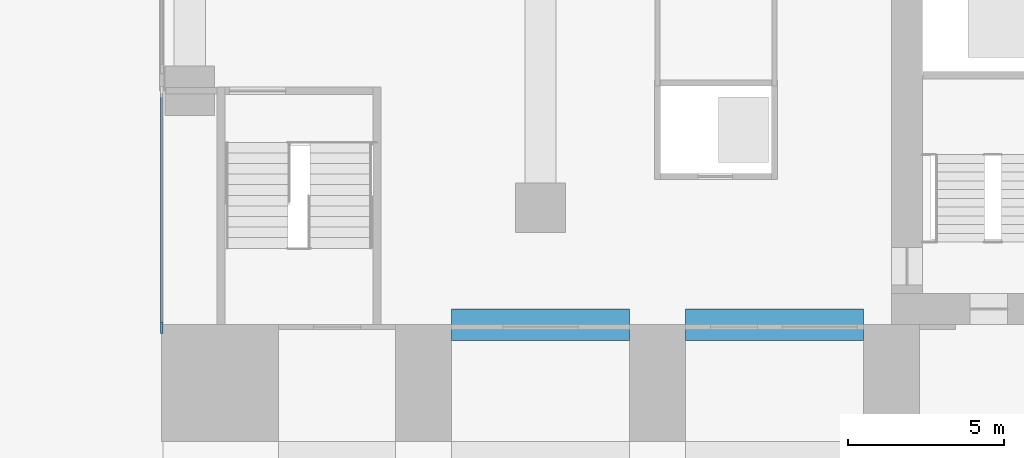
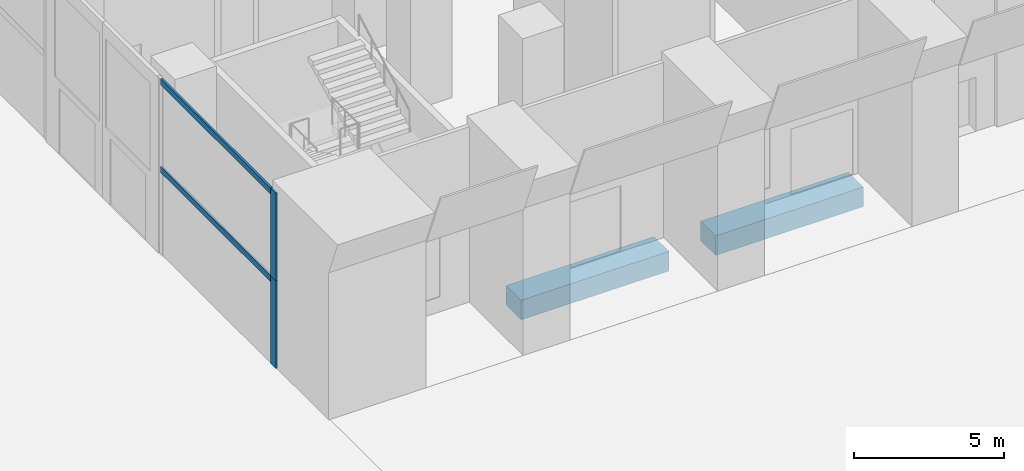
# One storey, part 2 of 21: 4 members, 2 beams, 2 elements without a shape of their own.
"""IFC4 building model written with IfcOpenShell, lengths in metres."""

from ifc_helpers import new_model, si_unit, direction, frame, origin, origin_2d, place, context, subcontext, project, spatial, rectangle, extrude, material, material_profile, profile_set, type_object, element, aggregate, save


model = new_model("IFC4")

# Units and contexts
model_context = context("Model", 3, precision=1e-05, world=origin(), true_north=direction((0.0, 1.0)))
body_context = subcontext(model_context, "Body", "Model", "MODEL_VIEW")
ifc_project = project(units=[si_unit("LENGTHUNIT", "METRE"), si_unit("AREAUNIT", "SQUARE_METRE"), si_unit("VOLUMEUNIT", "CUBIC_METRE"), si_unit("PLANEANGLEUNIT", "RADIAN"), si_unit("MASSUNIT", "GRAM", prefix="KILO")], contexts=[model_context])

# Site, building, storey
site_placement = place(None, origin())
site = spatial("IfcSite", under=ifc_project, at=site_placement, CompositionType="ELEMENT")
building_placement = place(site_placement, origin())
building = spatial("IfcBuilding", under=site, at=building_placement, Name="Pilkhan Gate Tower", CompositionType="ELEMENT")
storey_placement = place(building_placement, origin())
storey = spatial("IfcBuildingStorey", under=building, at=storey_placement, Name="L00", CompositionType="ELEMENT", Elevation=0.0)

# Curtain wall, member
ifc_material_1 = material(Name="Pale anodised aluminium, clear low-iron laminated glazing", Category="aluminium")
curtain_wall_type = type_object("IfcCurtainWallType", Name="Podium unitised curtain wall CW-P", PredefinedType="USERDEFINED", material=ifc_material_1)
curtain_wall_1_placement = place(storey_placement, origin())
curtain_wall_1 = element("IfcCurtainWall", 1, at=curtain_wall_1_placement, inside=storey, type_object=curtain_wall_type, Name="Podium unitised curtain wall CW-P L00 W", ObjectType="UNITISED CURTAIN WALL", PredefinedType="USERDEFINED")
ifc_material_2 = material(Name="Pale anodised aluminium", Category="aluminium")
ifc_material_profile_1 = material_profile(ifc_material_2, rectangle(XDim=0.080078125, YDim=0.35009765625, at=origin_2d()), Name="Mullion 350x80")
ifc_profile_set_1 = profile_set([ifc_material_profile_1], Name="Pale anodised aluminium")
member_type_1 = type_object("IfcMemberType", Name="Mullion CW-P 350x80", PredefinedType="MULLION", material=ifc_profile_set_1)
member_1_placement = place(storey_placement, frame((36.60498046875, 71.14501953125, 0.0), z_axis=(0.0, 0.0, 1.0), x_axis=(-1.0, 0.0, 0.0)))
member_1 = element("IfcMember", 2, at=member_1_placement, type_object=member_type_1, Name="CW-P mullion 1", PredefinedType="MULLION", context=body_context, shape_type="SweptSolid", body=[
    extrude(rectangle(XDim=0.080078125, YDim=0.35009765625, at=origin_2d()), origin(), (0.0, 0.0, 1.0), 3.574951171875),
])

curtain_wall_2_placement = place(storey_placement, origin())
curtain_wall_2 = element("IfcCurtainWall", 3, at=curtain_wall_2_placement, inside=storey, type_object=curtain_wall_type, Name="Podium unitised curtain wall CW-P L00 W", ObjectType="UNITISED CURTAIN WALL", PredefinedType="USERDEFINED")
member_2_placement = place(storey_placement, frame((36.60498046875, 71.14501953125, 3.574951171875), z_axis=(0.0, 0.0, 1.0), x_axis=(-1.0, 0.0, 0.0)))
member_2 = element("IfcMember", 4, at=member_2_placement, type_object=member_type_1, Name="CW-P mullion 1", PredefinedType="MULLION", context=body_context, shape_type="SweptSolid", body=[
    extrude(rectangle(XDim=0.080078125, YDim=0.35009765625, at=origin_2d()), origin(), (0.0, 0.0, 1.0), 3.574951171875),
])

# Beams
ifc_material_3 = material(Name="Concrete C50/60", Category="concrete")
ifc_material_profile_2 = material_profile(ifc_material_3, rectangle(XDim=1.0, YDim=0.800048828125, at=origin_2d()), Name="RC 1000x800")
ifc_profile_set_2 = profile_set([ifc_material_profile_2], Name="Concrete C50/60")
beam_type = type_object("IfcBeamType", Name="Podium joist PJ80 RC 1000x800 C50/60", PredefinedType="JOIST", material=ifc_profile_set_2)
for number, where, z_axis, x_axis, name in (
    (5, (45.89990234375, 71.25, -0.75), (1.0, 0.0, 0.0), (0.0, 1.0, 0.0), "Podium beam 4 L00"),
    (6, (53.39990234375, 71.25, -0.75), (1.0, 0.0, 0.0), (0.0, 1.0, 0.0), "Podium beam 9 L00"),
):
    element("IfcBeam", number, at=place(storey_placement, frame(where, z_axis=z_axis, x_axis=x_axis)), inside=storey, type_object=beam_type, Name=name, PredefinedType="JOIST", context=body_context, shape_type="SweptSolid", body=[
        extrude(rectangle(XDim=1.0, YDim=0.800048828125, at=origin_2d()), origin(), (0.0, 0.0, 1.0), 5.7001953125),
    ])

# Member
ifc_material_profile_3 = material_profile(ifc_material_2, rectangle(XDim=0.080078125, YDim=0.25, at=origin_2d()), Name="Transom 250x80")
ifc_profile_set_3 = profile_set([ifc_material_profile_3], Name="Pale anodised aluminium")
member_type_2 = type_object("IfcMemberType", Name="Transom CW-P 250x80", PredefinedType="USERDEFINED", material=ifc_profile_set_3)
member_3_placement = place(storey_placement, frame((36.60498046875, 71.18505859375, 3.449951171875), z_axis=(0.0, 1.0, 0.0), x_axis=(-1.0, 0.0, 0.0)))
member_3 = element("IfcMember", 7, at=member_3_placement, type_object=member_type_2, Name="CW-P transom 1", ObjectType="TRANSOM", PredefinedType="USERDEFINED", context=body_context, shape_type="SweptSolid", body=[
    extrude(rectangle(XDim=0.080078125, YDim=0.25, at=origin_2d()), origin(), (0.0, 0.0, 1.0), 7.48486328125),
])

aggregate(curtain_wall_1, [member_1, member_3])

member_4_placement = place(storey_placement, frame((36.60498046875, 71.18505859375, 7.02490234375), z_axis=(0.0, 1.0, 0.0), x_axis=(-1.0, 0.0, 0.0)))
member_4 = element("IfcMember", 8, at=member_4_placement, type_object=member_type_2, Name="CW-P transom 1", ObjectType="TRANSOM", PredefinedType="USERDEFINED", context=body_context, shape_type="SweptSolid", body=[
    extrude(rectangle(XDim=0.080078125, YDim=0.25, at=origin_2d()), origin(), (0.0, 0.0, 1.0), 7.48486328125),
])

aggregate(curtain_wall_2, [member_2, member_4])

save(model, "model.ifc")
